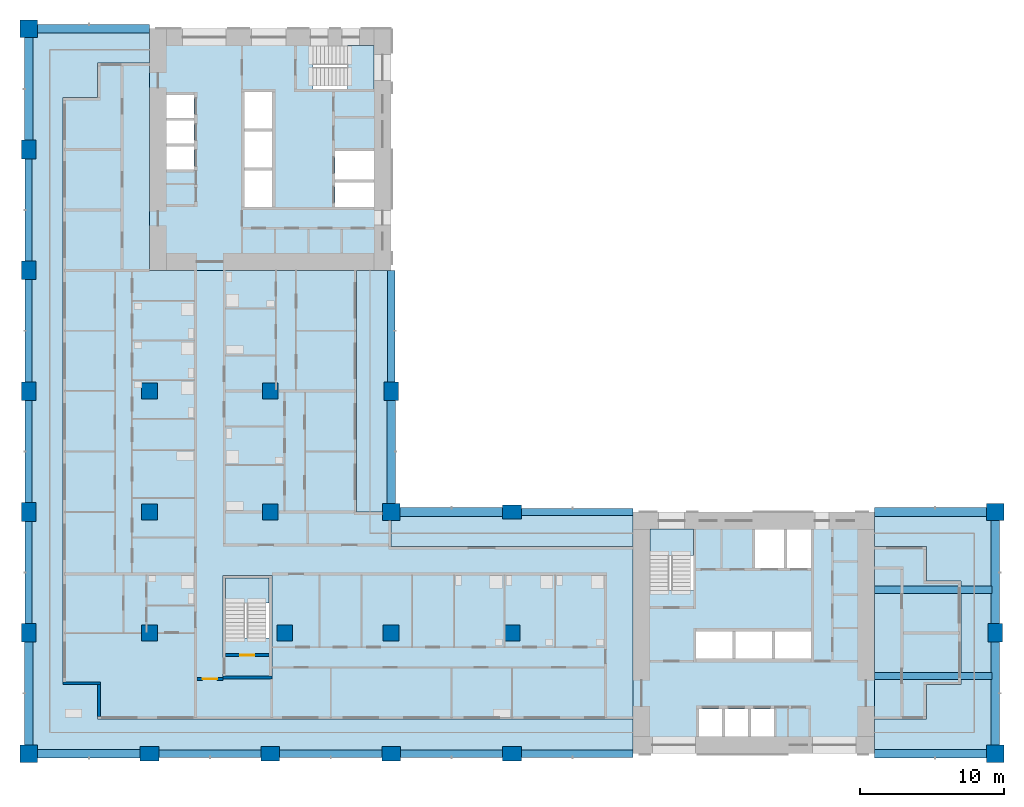
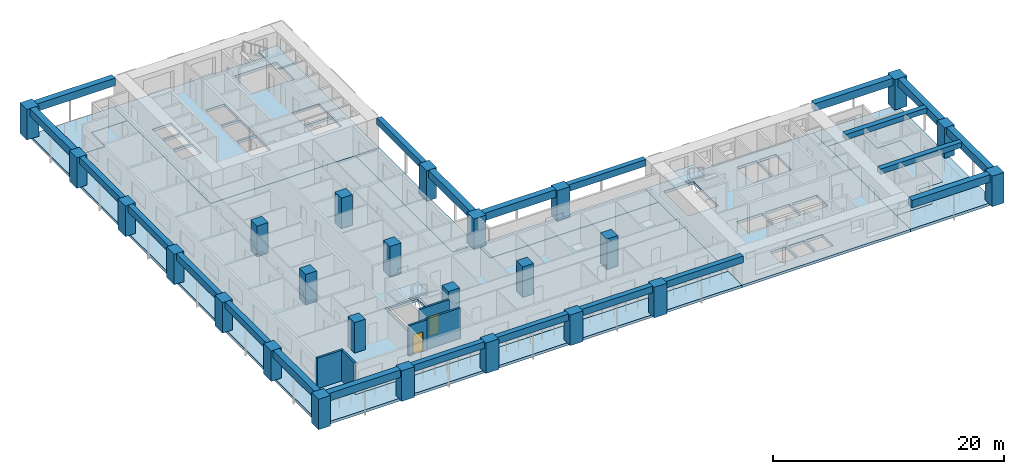
# One storey, part 1 of 17: 25 columns, 22 beams, 12 slabs, 5 walls, 2 doors, 2 openings, 3 elements without a shape of their own.
"""IFC4 building model written with IfcOpenShell, lengths in metres."""

from ifc_helpers import new_model, si_unit, direction, frame, frame_2d, origin, origin_2d, place, context, subcontext, project, spatial, polyline, rectangle, outline, extrude, material, layer, layer_set, material_profile, profile_set, type_object, element, fill, aggregate, save


model = new_model("IFC4")

# Units and contexts
model_context = context("Model", 3, precision=1e-05, world=origin(), true_north=direction((0.0, 1.0)))
body_context = subcontext(model_context, "Body", "Model", "MODEL_VIEW")
ifc_project = project(units=[si_unit("LENGTHUNIT", "METRE"), si_unit("AREAUNIT", "SQUARE_METRE"), si_unit("VOLUMEUNIT", "CUBIC_METRE"), si_unit("PLANEANGLEUNIT", "RADIAN"), si_unit("MASSUNIT", "GRAM", prefix="KILO")], contexts=[model_context])

# Site, building, storey
site_placement = place(None, origin())
site = spatial("IfcSite", under=ifc_project, at=site_placement, CompositionType="ELEMENT")
building_placement = place(site_placement, origin())
building = spatial("IfcBuilding", under=site, at=building_placement, Name="Vermilion Gate Residences", CompositionType="ELEMENT")
storey_placement = place(building_placement, frame((0.0, 0.0, 98.699951171875)))
storey = spatial("IfcBuildingStorey", under=building, at=storey_placement, Name="L24", CompositionType="ELEMENT", Elevation=98.699951171875)

# Columns
ifc_material_1 = material(Name="Concrete C70", Category="concrete")
ifc_material_profile_1 = material_profile(ifc_material_1, rectangle(XDim=1.10009765625, YDim=1.10009765625, at=origin_2d()), Name="RC-1100x1100")
ifc_profile_set_1 = profile_set([ifc_material_profile_1], Name="Concrete C70")
column_type_1 = type_object("IfcColumnType", Name="RC COLUMN 1100 X 1100 C70", PredefinedType="COLUMN", material=ifc_profile_set_1)
for number, where, z_axis, x_axis, name in (
    (1, (8.39990234375, 16.800048828125, 0.0), (0.0, 0.0, 1.0), (1.0, 0.0, 0.0), "Column 2-C L24"),
    (2, (8.39990234375, 25.199951171875, 0.0), (0.0, 0.0, 1.0), (1.0, 0.0, 0.0), "Column 2-D L24"),
    (3, (8.39990234375, 33.60009765625, 0.0), (0.0, 0.0, 1.0), (1.0, 0.0, 0.0), "Column 2-E L24"),
    (4, (17.800048828125, 16.800048828125, 0.0), (0.0, 0.0, 1.0), (1.0, 0.0, 0.0), "Column 3-C L24"),
    (5, (16.800048828125, 25.199951171875, 0.0), (0.0, 0.0, 1.0), (1.0, 0.0, 0.0), "Column 3-D L24"),
    (6, (16.800048828125, 33.60009765625, 0.0), (0.0, 0.0, 1.0), (1.0, 0.0, 0.0), "Column 3-E L24"),
    (7, (25.199951171875, 16.800048828125, 0.0), (0.0, 0.0, 1.0), (1.0, 0.0, 0.0), "Column 4-C L24"),
    (8, (33.60009765625, 16.800048828125, 0.0), (0.0, 0.0, 1.0), (1.0, 0.0, 0.0), "Column 5-C L24"),
):
    element("IfcColumn", number, at=place(storey_placement, frame(where, z_axis=z_axis, x_axis=x_axis)), inside=storey, type_object=column_type_1, Name=name, PredefinedType="COLUMN", context=body_context, shape_type="SweptSolid", body=[
        extrude(rectangle(XDim=1.10009765625, YDim=1.10009765625, at=origin_2d()), origin(), (0.0, 0.0, 1.0), 3.219970703125),
    ])
ifc_material_2 = material(Name="Concrete C70", Category="concrete")
ifc_material_profile_2 = material_profile(ifc_material_2, rectangle(XDim=1.199951171875, YDim=1.199951171875, at=origin_2d()), Name="RC-1200x1200")
ifc_profile_set_2 = profile_set([ifc_material_profile_2], Name="Concrete C70")
column_type_2 = type_object("IfcColumnType", Name="RC COLUMN 1200 X 1200 C70", PredefinedType="COLUMN", material=ifc_profile_set_2)
for number, where, z_axis, x_axis, name in (
    (9, (0.0, 8.39990234375, 0.0), (0.0, 0.0, 1.0), (1.0, 0.0, 0.0), "Column 1-B L24"),
    (10, (0.0, 58.800048828125, 0.0), (0.0, 0.0, 1.0), (1.0, 0.0, 0.0), "Column 1-H L24"),
    (11, (25.199951171875, 25.199951171875, 0.0), (0.0, 0.0, 1.0), (1.0, 0.0, 0.0), "Column 4-D L24"),
    (12, (67.199951171875, 8.39990234375, 0.0), (0.0, 0.0, 1.0), (1.0, 0.0, 0.0), "Column 9-B L24"),
    (13, (67.199951171875, 25.199951171875, 0.0), (0.0, 0.0, 1.0), (1.0, 0.0, 0.0), "Column 9-D L24"),
):
    element("IfcColumn", number, at=place(storey_placement, frame(where, z_axis=z_axis, x_axis=x_axis)), inside=storey, type_object=column_type_2, Name=name, PredefinedType="COLUMN", context=body_context, shape_type="SweptSolid", body=[
        extrude(rectangle(XDim=1.199951171875, YDim=1.199951171875, at=origin_2d()), origin(), (0.0, 0.0, 1.0), 3.219970703125),
    ])
ifc_material_3 = material(Name="Concrete C70", Category="concrete")
ifc_material_profile_3 = material_profile(ifc_material_3, rectangle(XDim=1.300048828125, YDim=1.0, at=origin_2d()), Name="RC-1300x1000")
ifc_profile_set_3 = profile_set([ifc_material_profile_3], Name="Concrete C70")
column_type_3 = type_object("IfcColumnType", Name="RC COLUMN 1300 X 1000 C70", PredefinedType="COLUMN", material=ifc_profile_set_3)
for number, where, z_axis, x_axis, name in (
    (14, (0.0, 16.800048828125, 0.0), (0.0, 0.0, 1.0), (0.0, 1.0, 0.0), "Column 1-C L24"),
    (15, (0.0, 25.199951171875, 0.0), (0.0, 0.0, 1.0), (0.0, 1.0, 0.0), "Column 1-D L24"),
    (16, (0.0, 33.60009765625, 0.0), (0.0, 0.0, 1.0), (0.0, 1.0, 0.0), "Column 1-E L24"),
    (17, (0.0, 42.0, 0.0), (0.0, 0.0, 1.0), (0.0, 1.0, 0.0), "Column 1-F L24"),
    (18, (0.0, 50.39990234375, 0.0), (0.0, 0.0, 1.0), (0.0, 1.0, 0.0), "Column 1-G L24"),
    (19, (8.39990234375, 8.39990234375, 0.0), (0.0, 0.0, 1.0), (1.0, 0.0, 0.0), "Column 2-B L24"),
    (20, (16.800048828125, 8.39990234375, 0.0), (0.0, 0.0, 1.0), (1.0, 0.0, 0.0), "Column 3-B L24"),
    (21, (25.199951171875, 8.39990234375, 0.0), (0.0, 0.0, 1.0), (1.0, 0.0, 0.0), "Column 4-B L24"),
    (22, (25.199951171875, 33.60009765625, 0.0), (0.0, 0.0, 1.0), (0.0, 1.0, 0.0), "Column 4-E L24"),
    (23, (33.60009765625, 8.39990234375, 0.0), (0.0, 0.0, 1.0), (1.0, 0.0, 0.0), "Column 5-B L24"),
    (24, (33.60009765625, 25.199951171875, 0.0), (0.0, 0.0, 1.0), (1.0, 0.0, 0.0), "Column 5-D L24"),
    (25, (67.199951171875, 16.800048828125, 0.0), (0.0, 0.0, 1.0), (0.0, 1.0, 0.0), "Column 9-C L24"),
):
    element("IfcColumn", number, at=place(storey_placement, frame(where, z_axis=z_axis, x_axis=x_axis)), inside=storey, type_object=column_type_3, Name=name, PredefinedType="COLUMN", context=body_context, shape_type="SweptSolid", body=[
        extrude(rectangle(XDim=1.300048828125, YDim=1.0, at=origin_2d()), origin(), (0.0, 0.0, 1.0), 3.219970703125),
    ])

# Beams
ifc_material_4 = material(Name="Concrete C60 red-oxide pigmented", Category="concrete")
ifc_material_profile_4 = material_profile(ifc_material_4, rectangle(XDim=0.60009765625, YDim=0.800048828125, at=origin_2d()), Name="RC-600x800")
ifc_profile_set_4 = profile_set([ifc_material_profile_4], Name="Concrete C60 red-oxide pigmented")
beam_type_1 = type_object("IfcBeamType", Name="RC CORNER EDGE BEAM 600 X 800 C60", PredefinedType="BEAM", material=ifc_profile_set_4)
for number, where, z_axis, x_axis, name in (
    (26, (0.60009765625, 8.39990234375, 2.820068359375), (1.0, 0.0, 0.0), (0.0, 1.0, 0.0), "Corner edge beam L24 1"),
    (27, (0.0, 9.0, 2.820068359375), (0.0, 1.0, 0.0), (-1.0, 0.0, 0.0), "Corner edge beam L24 2"),
):
    element("IfcBeam", number, at=place(storey_placement, frame(where, z_axis=z_axis, x_axis=x_axis)), inside=storey, type_object=beam_type_1, Name=name, PredefinedType="BEAM", context=body_context, shape_type="SweptSolid", body=[
        extrude(rectangle(XDim=0.60009765625, YDim=0.800048828125, at=origin_2d()), origin(), (0.0, 0.0, 1.0), 7.14990234375),
    ])
beam_1_placement = place(storey_placement, frame((0.60009765625, 58.800048828125, 2.820068359375), z_axis=(1.0, 0.0, 0.0), x_axis=(0.0, 1.0, 0.0)))
element("IfcBeam", 28, at=beam_1_placement, inside=storey, type_object=beam_type_1, Name="Corner edge beam L24 7", PredefinedType="BEAM", context=body_context, shape_type="SweptSolid", body=[
    extrude(rectangle(XDim=0.60009765625, YDim=0.800048828125, at=origin_2d()), origin(), (0.0, 0.0, 1.0), 7.7998046875),
])
for number, where, z_axis, x_axis, name in (
    (29, (0.0, 51.050048828125, 2.820068359375), (0.0, 1.0, 0.0), (-1.0, 0.0, 0.0), "Corner edge beam L24 8"),
    (30, (25.199951171875, 25.800048828125, 2.820068359375), (0.0, 1.0, 0.0), (-1.0, 0.0, 0.0), "Corner edge beam L24 11"),
    (31, (25.800048828125, 25.199951171875, 2.820068359375), (1.0, 0.0, 0.0), (0.0, 1.0, 0.0), "Corner edge beam L24 14"),
):
    element("IfcBeam", number, at=place(storey_placement, frame(where, z_axis=z_axis, x_axis=x_axis)), inside=storey, type_object=beam_type_1, Name=name, PredefinedType="BEAM", context=body_context, shape_type="SweptSolid", body=[
        extrude(rectangle(XDim=0.60009765625, YDim=0.800048828125, at=origin_2d()), origin(), (0.0, 0.0, 1.0), 7.14990234375),
    ])
beam_2_placement = place(storey_placement, frame((58.800048828125, 8.39990234375, 2.820068359375), z_axis=(1.0, 0.0, 0.0), x_axis=(0.0, 1.0, 0.0)))
element("IfcBeam", 32, at=beam_2_placement, inside=storey, type_object=beam_type_1, Name="Corner edge beam L24 17", PredefinedType="BEAM", context=body_context, shape_type="SweptSolid", body=[
    extrude(rectangle(XDim=0.60009765625, YDim=0.800048828125, at=origin_2d()), origin(), (0.0, 0.0, 1.0), 7.800048828125),
])
beam_3_placement = place(storey_placement, frame((67.199951171875, 9.0, 2.820068359375), z_axis=(0.0, 1.0, 0.0), x_axis=(-1.0, 0.0, 0.0)))
element("IfcBeam", 33, at=beam_3_placement, inside=storey, type_object=beam_type_1, Name="Corner edge beam L24 18", PredefinedType="BEAM", context=body_context, shape_type="SweptSolid", body=[
    extrude(rectangle(XDim=0.60009765625, YDim=0.800048828125, at=origin_2d()), origin(), (0.0, 0.0, 1.0), 7.14990234375),
])
beam_4_placement = place(storey_placement, frame((67.199951171875, 17.449951171875, 2.820068359375), z_axis=(0.0, 1.0, 0.0), x_axis=(-1.0, 0.0, 0.0)))
element("IfcBeam", 34, at=beam_4_placement, inside=storey, type_object=beam_type_1, Name="Corner edge beam L24 19", PredefinedType="BEAM", context=body_context, shape_type="SweptSolid", body=[
    extrude(rectangle(XDim=0.60009765625, YDim=0.800048828125, at=origin_2d()), origin(), (0.0, 0.0, 1.0), 7.150146484375),
])
beam_5_placement = place(storey_placement, frame((58.800048828125, 25.199951171875, 2.820068359375), z_axis=(1.0, 0.0, 0.0), x_axis=(0.0, 1.0, 0.0)))
element("IfcBeam", 35, at=beam_5_placement, inside=storey, type_object=beam_type_1, Name="Corner edge beam L24 20", PredefinedType="BEAM", context=body_context, shape_type="SweptSolid", body=[
    extrude(rectangle(XDim=0.60009765625, YDim=0.800048828125, at=origin_2d()), origin(), (0.0, 0.0, 1.0), 7.800048828125),
])
ifc_material_5 = material(Name="Concrete C60 red-oxide pigmented", Category="concrete")
ifc_material_profile_5 = material_profile(ifc_material_5, rectangle(XDim=0.5, YDim=0.699951171875, at=origin_2d()), Name="RC-500x700")
ifc_profile_set_5 = profile_set([ifc_material_profile_5], Name="Concrete C60 red-oxide pigmented")
beam_type_2 = type_object("IfcBeamType", Name="RC EDGE BEAM 500 X 700 C60", PredefinedType="BEAM", material=ifc_profile_set_5)
beam_6_placement = place(storey_placement, frame((0.0, 17.449951171875, 2.8701171875), z_axis=(0.0, 1.0, 0.0), x_axis=(-1.0, 0.0, 0.0)))
element("IfcBeam", 36, at=beam_6_placement, inside=storey, type_object=beam_type_2, Name="Edge beam L24 3", PredefinedType="BEAM", context=body_context, shape_type="SweptSolid", body=[
    extrude(rectangle(XDim=0.5, YDim=0.699951171875, at=origin_2d()), origin(), (0.0, 0.0, 1.0), 7.10009765625),
])
beam_7_placement = place(storey_placement, frame((0.0, 25.85009765625, 2.8701171875), z_axis=(0.0, 1.0, 0.0), x_axis=(-1.0, 0.0, 0.0)))
element("IfcBeam", 37, at=beam_7_placement, inside=storey, type_object=beam_type_2, Name="Edge beam L24 4", PredefinedType="BEAM", context=body_context, shape_type="SweptSolid", body=[
    extrude(rectangle(XDim=0.5, YDim=0.699951171875, at=origin_2d()), origin(), (0.0, 0.0, 1.0), 7.099853515625),
])
for number, where, z_axis, x_axis, name in (
    (38, (0.0, 34.25, 2.8701171875), (0.0, 1.0, 0.0), (-1.0, 0.0, 0.0), "Edge beam L24 5"),
    (39, (0.0, 42.64990234375, 2.8701171875), (0.0, 1.0, 0.0), (-1.0, 0.0, 0.0), "Edge beam L24 6"),
):
    element("IfcBeam", number, at=place(storey_placement, frame(where, z_axis=z_axis, x_axis=x_axis)), inside=storey, type_object=beam_type_2, Name=name, PredefinedType="BEAM", context=body_context, shape_type="SweptSolid", body=[
        extrude(rectangle(XDim=0.5, YDim=0.699951171875, at=origin_2d()), origin(), (0.0, 0.0, 1.0), 7.10009765625),
    ])
beam_8_placement = place(storey_placement, frame((9.050048828125, 8.39990234375, 2.8701171875), z_axis=(1.0, 0.0, 0.0), x_axis=(0.0, 1.0, 0.0)))
element("IfcBeam", 40, at=beam_8_placement, inside=storey, type_object=beam_type_2, Name="Edge beam L24 9", PredefinedType="BEAM", context=body_context, shape_type="SweptSolid", body=[
    extrude(rectangle(XDim=0.5, YDim=0.699951171875, at=origin_2d()), origin(), (0.0, 0.0, 1.0), 7.099853515625),
])
beam_9_placement = place(storey_placement, frame((17.449951171875, 8.39990234375, 2.8701171875), z_axis=(1.0, 0.0, 0.0), x_axis=(0.0, 1.0, 0.0)))
element("IfcBeam", 41, at=beam_9_placement, inside=storey, type_object=beam_type_2, Name="Edge beam L24 10", PredefinedType="BEAM", context=body_context, shape_type="SweptSolid", body=[
    extrude(rectangle(XDim=0.5, YDim=0.699951171875, at=origin_2d()), origin(), (0.0, 0.0, 1.0), 7.10009765625),
])
beam_10_placement = place(storey_placement, frame((25.199951171875, 34.25, 2.8701171875), z_axis=(0.0, 1.0, 0.0), x_axis=(-1.0, 0.0, 0.0)))
element("IfcBeam", 42, at=beam_10_placement, inside=storey, type_object=beam_type_2, Name="Edge beam L24 12", PredefinedType="BEAM", context=body_context, shape_type="SweptSolid", body=[
    extrude(rectangle(XDim=0.5, YDim=0.699951171875, at=origin_2d()), origin(), (0.0, 0.0, 1.0), 7.75),
])
beam_11_placement = place(storey_placement, frame((25.85009765625, 8.39990234375, 2.8701171875), z_axis=(1.0, 0.0, 0.0), x_axis=(0.0, 1.0, 0.0)))
element("IfcBeam", 43, at=beam_11_placement, inside=storey, type_object=beam_type_2, Name="Edge beam L24 13", PredefinedType="BEAM", context=body_context, shape_type="SweptSolid", body=[
    extrude(rectangle(XDim=0.5, YDim=0.699951171875, at=origin_2d()), origin(), (0.0, 0.0, 1.0), 7.099853515625),
])
for number, where, z_axis, x_axis, name in (
    (44, (34.25, 8.39990234375, 2.8701171875), (1.0, 0.0, 0.0), (0.0, 1.0, 0.0), "Edge beam L24 15"),
    (45, (34.25, 25.199951171875, 2.8701171875), (1.0, 0.0, 0.0), (0.0, 1.0, 0.0), "Edge beam L24 16"),
):
    element("IfcBeam", number, at=place(storey_placement, frame(where, z_axis=z_axis, x_axis=x_axis)), inside=storey, type_object=beam_type_2, Name=name, PredefinedType="BEAM", context=body_context, shape_type="SweptSolid", body=[
        extrude(rectangle(XDim=0.5, YDim=0.699951171875, at=origin_2d()), origin(), (0.0, 0.0, 1.0), 7.75),
    ])
ifc_material_6 = material(Name="Concrete C60", Category="concrete")
ifc_material_profile_6 = material_profile(ifc_material_6, rectangle(XDim=0.5, YDim=0.550048828125, at=origin_2d()), Name="RC-500x550")
ifc_profile_set_6 = profile_set([ifc_material_profile_6], Name="Concrete C60")
beam_type_3 = type_object("IfcBeamType", Name="RC WING BEAM 500 X 550 C60", PredefinedType="BEAM", material=ifc_profile_set_6)
for number, where, z_axis, x_axis, name in (
    (46, (58.800048828125, 13.800048828125, 2.945068359375), (1.0, 0.0, 0.0), (0.0, 1.0, 0.0), "Wing-end beam L24 1"),
    (47, (58.800048828125, 19.800048828125, 2.945068359375), (1.0, 0.0, 0.0), (0.0, 1.0, 0.0), "Wing-end beam L24 2"),
):
    element("IfcBeam", number, at=place(storey_placement, frame(where, z_axis=z_axis, x_axis=x_axis)), inside=storey, type_object=beam_type_3, Name=name, PredefinedType="BEAM", context=body_context, shape_type="SweptSolid", body=[
        extrude(rectangle(XDim=0.5, YDim=0.550048828125, at=origin_2d()), origin(), (0.0, 0.0, 1.0), 8.14990234375),
    ])

# Slabs
ifc_material_7 = material(Name="Concrete C50", Category="concrete")
ifc_layer_1 = layer(ifc_material_7, 0.280029296875)
ifc_layer_set_1 = layer_set([ifc_layer_1], Name="RC CORE FLOOR SLAB 280 C50")
slab_type_1 = type_object("IfcSlabType", Name="RC CORE FLOOR SLAB 280 C50", PredefinedType="FLOOR", material=ifc_layer_set_1)
slab_1_placement = place(storey_placement, frame((0.0, 0.0, -0.280029296875)))
element("IfcSlab", 48, at=slab_1_placement, inside=storey, type_object=slab_type_1, Name="Core floor slab A24", PredefinedType="FLOOR", context=body_context, shape_type="SweptSolid", body=[
    extrude(outline(polyline([(42.0, 8.39990234375), (58.800048828125, 8.39990234375), (58.800048828125, 25.199951171875), (42.0, 25.199951171875), (42.0, 8.39990234375)]), holes=[polyline([(46.60009765625, 11.5), (48.199951171875, 11.5), (48.199951171875, 9.60009765625), (46.60009765625, 9.60009765625), (46.60009765625, 11.5)]), polyline([(48.39990234375, 11.5), (50.0, 11.5), (50.0, 9.60009765625), (48.39990234375, 9.60009765625), (48.39990234375, 11.5)]), polyline([(50.199951171875, 11.5), (51.800048828125, 11.5), (51.800048828125, 9.60009765625), (50.199951171875, 9.60009765625), (50.199951171875, 11.5)]), polyline([(46.39990234375, 16.89990234375), (48.933349609375, 16.89990234375), (48.933349609375, 15.0), (46.39990234375, 15.0), (46.39990234375, 16.89990234375)]), polyline([(49.13330078125, 16.89990234375), (51.666748046875, 16.89990234375), (51.666748046875, 15.0), (49.13330078125, 15.0), (49.13330078125, 16.89990234375)]), polyline([(51.86669921875, 16.89990234375), (54.39990234375, 16.89990234375), (54.39990234375, 15.0), (51.86669921875, 15.0), (51.86669921875, 16.89990234375)]), polyline([(43.199951171875, 24.0), (46.199951171875, 24.0), (46.199951171875, 19.75), (43.199951171875, 19.75), (43.199951171875, 24.0)]), polyline([(52.5, 24.0), (52.5, 21.300048828125), (50.5, 21.300048828125), (50.5, 24.0), (52.5, 24.0)]), polyline([(54.39990234375, 24.0), (54.39990234375, 21.300048828125), (52.699951171875, 21.300048828125), (52.699951171875, 24.0), (54.39990234375, 24.0)])]), origin(), (0.0, 0.0, 1.0), 0.280029296875),
])
slab_2_placement = place(storey_placement, frame((0.0, 0.0, -0.280029296875)))
element("IfcSlab", 49, at=slab_2_placement, inside=storey, type_object=slab_type_1, Name="Core floor slab B24", PredefinedType="FLOOR", context=body_context, shape_type="SweptSolid", body=[
    extrude(outline(polyline([(8.39990234375, 42.0), (25.199951171875, 42.0), (25.199951171875, 58.800048828125), (8.39990234375, 58.800048828125), (8.39990234375, 42.0)]), holes=[polyline([(21.300048828125, 48.10009765625), (24.0, 48.10009765625), (24.0, 46.39990234375), (21.300048828125, 46.39990234375), (21.300048828125, 48.10009765625)]), polyline([(15.0, 48.933349609375), (16.89990234375, 48.933349609375), (16.89990234375, 46.39990234375), (15.0, 46.39990234375), (15.0, 48.933349609375)]), polyline([(21.300048828125, 50.300048828125), (24.0, 50.300048828125), (24.0, 48.300048828125), (21.300048828125, 48.300048828125), (21.300048828125, 50.300048828125)]), polyline([(9.60009765625, 50.60009765625), (11.5, 50.60009765625), (11.5, 49.0), (9.60009765625, 49.0), (9.60009765625, 50.60009765625)]), polyline([(15.0, 51.666748046875), (16.89990234375, 51.666748046875), (16.89990234375, 49.13330078125), (15.0, 49.13330078125), (15.0, 51.666748046875)]), polyline([(9.60009765625, 52.39990234375), (11.5, 52.39990234375), (11.5, 50.800048828125), (9.60009765625, 50.800048828125), (9.60009765625, 52.39990234375)]), polyline([(15.0, 54.39990234375), (16.89990234375, 54.39990234375), (16.89990234375, 51.86669921875), (15.0, 51.86669921875), (15.0, 54.39990234375)]), polyline([(11.5, 54.199951171875), (11.5, 52.60009765625), (9.60009765625, 52.60009765625), (9.60009765625, 54.199951171875), (11.5, 54.199951171875)]), polyline([(24.0, 57.60009765625), (24.0, 54.60009765625), (19.75, 54.60009765625), (19.75, 57.60009765625), (24.0, 57.60009765625)])]), origin(), (0.0, 0.0, 1.0), 0.280029296875),
])
slab_3_placement = place(storey_placement, frame((0.0, 0.0, -0.280029296875)))
element("IfcSlab", 50, at=slab_3_placement, inside=storey, type_object=slab_type_1, Name="Apex stair floor slab 24", PredefinedType="FLOOR", context=body_context, shape_type="SweptSolid", body=[
    extrude(outline(polyline([(13.5, 13.60009765625), (16.89990234375, 13.60009765625), (16.89990234375, 20.800048828125), (13.5, 20.800048828125), (13.5, 13.60009765625)]), holes=[polyline([(16.699951171875, 20.60009765625), (16.699951171875, 16.449951171875), (13.699951171875, 16.449951171875), (13.699951171875, 20.60009765625), (16.699951171875, 20.60009765625)])]), origin(), (0.0, 0.0, 1.0), 0.280029296875),
])
ifc_material_8 = material(Name="Concrete C50", Category="concrete")
ifc_layer_2 = layer(ifc_material_8, 0.280029296875)
ifc_layer_set_2 = layer_set([ifc_layer_2], Name="RC FLAT PLATE 280 C50")
slab_type_2 = type_object("IfcSlabType", Name="RC FLAT PLATE 280 C50", PredefinedType="FLOOR", material=ifc_layer_set_2)
slab_4_placement = place(storey_placement, frame((0.0, 0.0, -0.280029296875)))
element("IfcSlab", 51, at=slab_4_placement, inside=storey, type_object=slab_type_2, Name="Floor slab L24", PredefinedType="FLOOR", context=body_context, shape_type="SweptSolid", body=[
    extrude(outline(polyline([(22.800048828125, 25.199951171875), (22.800048828125, 42.0), (8.39990234375, 42.0), (8.39990234375, 56.39990234375), (4.800048828125, 56.39990234375), (4.800048828125, 54.0), (2.39990234375, 54.0), (2.39990234375, 13.199951171875), (4.800048828125, 13.199951171875), (4.800048828125, 10.800048828125), (42.0, 10.800048828125), (42.0, 22.800048828125), (25.199951171875, 22.800048828125), (25.199951171875, 25.199951171875), (22.800048828125, 25.199951171875)]), holes=[polyline([(13.5, 13.60009765625), (13.5, 20.800048828125), (16.89990234375, 20.800048828125), (16.89990234375, 13.60009765625), (13.5, 13.60009765625)])]), origin(), (0.0, 0.0, 1.0), 0.280029296875),
])
slab_5_placement = place(storey_placement, frame((0.0, 0.0, -0.280029296875)))
element("IfcSlab", 52, at=slab_5_placement, inside=storey, type_object=slab_type_2, Name="Floor slab L24", PredefinedType="FLOOR", context=body_context, shape_type="SweptSolid", body=[
    extrude(outline(polyline([(58.800048828125, 22.800048828125), (58.800048828125, 10.800048828125), (62.39990234375, 10.800048828125), (62.39990234375, 13.199951171875), (64.800048828125, 13.199951171875), (64.800048828125, 20.39990234375), (62.39990234375, 20.39990234375), (62.39990234375, 22.800048828125), (58.800048828125, 22.800048828125)])), origin(), (0.0, 0.0, 1.0), 0.280029296875),
])
ifc_material_9 = material(Name="Concrete C50 red-oxide pigmented", Category="concrete")
ifc_layer_3 = layer(ifc_material_9, 0.280029296875)
ifc_layer_set_3 = layer_set([ifc_layer_3], Name="RC LOGGIA SLAB 280 C50")
slab_type_3 = type_object("IfcSlabType", Name="RC LOGGIA SLAB 280 C50", PredefinedType="FLOOR", material=ifc_layer_set_3)
slab_6_placement = place(storey_placement, frame((0.0, 0.0, -0.280029296875)))
element("IfcSlab", 53, at=slab_6_placement, inside=storey, type_object=slab_type_3, Name="Loggia slab L24", PredefinedType="FLOOR", context=body_context, shape_type="SweptSolid", body=[
    extrude(outline(polyline([(0.0, 58.800048828125), (0.0, 8.39990234375), (42.0, 8.39990234375), (42.0, 10.800048828125), (4.800048828125, 10.800048828125), (4.800048828125, 13.199951171875), (2.39990234375, 13.199951171875), (2.39990234375, 54.0), (4.800048828125, 54.0), (4.800048828125, 56.39990234375), (8.39990234375, 56.39990234375), (8.39990234375, 58.800048828125), (0.0, 58.800048828125)])), origin(), (0.0, 0.0, 1.0), 0.280029296875),
])
slab_7_placement = place(storey_placement, frame((0.0, 0.0, -0.280029296875)))
element("IfcSlab", 54, at=slab_7_placement, inside=storey, type_object=slab_type_3, Name="Loggia slab L24", PredefinedType="FLOOR", context=body_context, shape_type="SweptSolid", body=[
    extrude(outline(polyline([(64.800048828125, 20.39990234375), (64.800048828125, 13.199951171875), (62.39990234375, 13.199951171875), (62.39990234375, 10.800048828125), (58.800048828125, 10.800048828125), (58.800048828125, 8.39990234375), (67.199951171875, 8.39990234375), (67.199951171875, 25.199951171875), (58.800048828125, 25.199951171875), (58.800048828125, 22.800048828125), (62.39990234375, 22.800048828125), (62.39990234375, 20.39990234375), (64.800048828125, 20.39990234375)])), origin(), (0.0, 0.0, 1.0), 0.280029296875),
])
slab_8_placement = place(storey_placement, frame((0.0, 0.0, -0.280029296875)))
element("IfcSlab", 55, at=slab_8_placement, inside=storey, type_object=slab_type_3, Name="Loggia slab L24", PredefinedType="FLOOR", context=body_context, shape_type="SweptSolid", body=[
    extrude(outline(polyline([(25.199951171875, 22.800048828125), (42.0, 22.800048828125), (42.0, 25.199951171875), (25.199951171875, 25.199951171875), (25.199951171875, 22.800048828125)])), origin(), (0.0, 0.0, 1.0), 0.280029296875),
])
slab_9_placement = place(storey_placement, frame((0.0, 0.0, -0.280029296875)))
element("IfcSlab", 56, at=slab_9_placement, inside=storey, type_object=slab_type_3, Name="Loggia slab L24", PredefinedType="FLOOR", context=body_context, shape_type="SweptSolid", body=[
    extrude(outline(polyline([(25.199951171875, 25.199951171875), (25.199951171875, 42.0), (22.800048828125, 42.0), (22.800048828125, 25.199951171875), (25.199951171875, 25.199951171875)])), origin(), (0.0, 0.0, 1.0), 0.280029296875),
])

# Stair, slab
ifc_material_10 = material(Name="Concrete C50", Category="concrete")
stair_type = type_object("IfcStairType", Name="SPECIAL ESCAPE STAIR 1300", PredefinedType="HALF_TURN_STAIR", material=ifc_material_10)
stair_1_placement = place(storey_placement, origin())
stair_1 = element("IfcStair", 57, at=stair_1_placement, inside=storey, type_object=stair_type, Name="Special escape stair STA1-24", PredefinedType="HALF_TURN_STAIR")
ifc_material_11 = material(Name="Concrete C50", Category="concrete")
ifc_layer_4 = layer(ifc_material_11, 0.199951171875)
ifc_layer_set_4 = layer_set([ifc_layer_4], Name="STAIR LANDING 200 C50")
slab_type_4 = type_object("IfcSlabType", Name="STAIR LANDING 200 C50", PredefinedType="LANDING", material=ifc_layer_set_4)
slab_10_placement = place(storey_placement, frame((0.0, 0.0, 1.550048828125)))
slab_10 = element("IfcSlab", 58, at=slab_10_placement, type_object=slab_type_4, Name="STA1-24 landing 1", PredefinedType="LANDING", context=body_context, shape_type="SweptSolid", body=[
    extrude(outline(polyline([(46.219970703125, 22.179931640625), (46.219970703125, 24.02001953125), (43.179931640625, 24.02001953125), (43.179931640625, 22.179931640625), (46.219970703125, 22.179931640625)])), origin(), (0.0, 0.0, 1.0), 0.199951171875),
])
aggregate(stair_1, [slab_10])

stair_2_placement = place(storey_placement, origin())
stair_2 = element("IfcStair", 59, at=stair_2_placement, inside=storey, type_object=stair_type, Name="Special escape stair STB1-24", PredefinedType="HALF_TURN_STAIR")
slab_11_placement = place(storey_placement, frame((0.0, 0.0, 1.550048828125)))
slab_11 = element("IfcSlab", 60, at=slab_11_placement, type_object=slab_type_4, Name="STB1-24 landing 1", PredefinedType="LANDING", context=body_context, shape_type="SweptSolid", body=[
    extrude(outline(polyline([(24.02001953125, 54.580078125), (24.02001953125, 57.6201171875), (22.179931640625, 57.6201171875), (22.179931640625, 54.580078125), (24.02001953125, 54.580078125)])), origin(), (0.0, 0.0, 1.0), 0.199951171875),
])
aggregate(stair_2, [slab_11])

stair_3_placement = place(storey_placement, origin())
stair_3 = element("IfcStair", 61, at=stair_3_placement, inside=storey, type_object=stair_type, Name="Special escape stair STC1-24", PredefinedType="HALF_TURN_STAIR")
slab_12_placement = place(storey_placement, frame((0.0, 0.0, 1.550048828125)))
slab_12 = element("IfcSlab", 62, at=slab_12_placement, type_object=slab_type_4, Name="STC1-24 landing 1", PredefinedType="LANDING", context=body_context, shape_type="SweptSolid", body=[
    extrude(outline(polyline([(16.719970703125, 18.8798828125), (16.719970703125, 20.6201171875), (13.679931640625, 20.6201171875), (13.679931640625, 18.8798828125), (16.719970703125, 18.8798828125)])), origin(), (0.0, 0.0, 1.0), 0.199951171875),
])
aggregate(stair_3, [slab_12])

# Walls
ifc_material_12 = material(Name="Insulated steel stud wall with terracotta rainscreen", Category="masonry")
ifc_layer_5 = layer(ifc_material_12, 0.199951171875)
ifc_layer_set_5 = layer_set([ifc_layer_5], Name="EXTERNAL WALL 200 TERRACOTTA RAINSCREEN")
wall_type_1 = type_object("IfcWallType", Name="EXTERNAL WALL 200 TERRACOTTA RAINSCREEN", PredefinedType="SOLIDWALL", material=ifc_layer_set_5)
wall_1_placement = place(storey_placement, frame((2.39990234375, 13.300048828125, 0.0), z_axis=(0.0, 0.0, 1.0), x_axis=(1.0, 0.0, 0.0)))
element("IfcWall", 63, at=wall_1_placement, inside=storey, type_object=wall_type_1, Name="External wall", PredefinedType="SOLIDWALL", context=body_context, shape_type="SweptSolid", body=[
    extrude(rectangle(XDim=2.60009765625, YDim=0.199951171875, at=frame_2d((1.300048828125, 0.0))), origin(), (0.0, 0.0, 1.0), 3.219970703125),
])
wall_2_placement = place(storey_placement, frame((4.89990234375, 13.199951171875, 0.0), z_axis=(0.0, 0.0, 1.0), x_axis=(0.0, -1.0, 0.0)))
element("IfcWall", 64, at=wall_2_placement, inside=storey, type_object=wall_type_1, Name="External wall", PredefinedType="SOLIDWALL", context=body_context, shape_type="SweptSolid", body=[
    extrude(rectangle(XDim=2.199951171875, YDim=0.199951171875, at=frame_2d((1.10009765625, 0.0))), origin(), (0.0, 0.0, 1.0), 3.219970703125),
])

# Wall, opening, door
ifc_material_13 = material(Name="Fire-rated plasterboard on steel studs", Category="steel")
ifc_layer_6 = layer(ifc_material_13, 0.199951171875)
ifc_layer_set_6 = layer_set([ifc_layer_6], Name="PARTY WALL 200 EI 120")
wall_type_2 = type_object("IfcWallType", Name="PARTY WALL 200 EI 120", PredefinedType="PARTITIONING", material=ifc_layer_set_6)
wall_3_placement = place(storey_placement, frame((11.699951171875, 13.60009765625, 0.0), z_axis=(0.0, 0.0, 1.0), x_axis=(1.0, 0.0, 0.0)))
wall_3 = element("IfcWall", 65, at=wall_3_placement, inside=storey, type_object=wall_type_2, Name="Party and corridor wall", PredefinedType="PARTITIONING", context=body_context, shape_type="SweptSolid", body=[
    extrude(rectangle(XDim=1.800048828125, YDim=0.199951171875, at=frame_2d((0.89990234375, 0.0))), origin(), (0.0, 0.0, 1.0), 3.219970703125),
])
opening_1_placement = place(wall_3_placement, frame((0.39990234375, 0.0, 0.0)))
opening_1 = element("IfcOpeningElement", 66, at=opening_1_placement, cuts=wall_3, Name="Opening DA22001", PredefinedType="OPENING", context=body_context, shape_type="SweptSolid", body=[
    extrude(rectangle(XDim=1.0, YDim=2.10009765625, at=frame_2d((0.5, 1.050048828125))), frame((0.0, 0.10986328125, 0.0), z_axis=(0.0, -1.0, 0.0), x_axis=(1.0, 0.0, 0.0)), (0.0, 0.0, 1.0), 0.219970703125),
])
ifc_material_14 = material(Name="Steel", Category="steel")
door_type_1 = type_object("IfcDoorType", Name="ENTRANCE DOOR 1000 X 2100 FD30", OperationType="SINGLE_SWING_LEFT", PredefinedType="DOOR", material=ifc_material_14)
door_1_placement = place(opening_1_placement, frame((1.0, 0.0, 0.0), z_axis=(0.0, 0.0, 1.0), x_axis=(-1.0, 0.0, 0.0)))
door_1 = element("IfcDoor", 67, at=door_1_placement, inside=storey, type_object=door_type_1, Name="Entrance door", OperationType="SINGLE_SWING_RIGHT", OverallHeight=2.10009765625, OverallWidth=1.0, PredefinedType="DOOR", context=body_context, shape_type="SweptSolid", body=[
    extrude(rectangle(XDim=1.0, YDim=2.10009765625, at=frame_2d((0.5, 1.050048828125))), frame((0.0, 0.02490234375, 0.0), z_axis=(0.0, -1.0, 0.0), x_axis=(1.0, 0.0, 0.0)), (0.0, 0.0, 1.0), 0.050048828125),
])
fill(opening_1, door_1)

# Wall
ifc_material_15 = material(Name="Concrete C60", Category="concrete")
ifc_layer_7 = layer(ifc_material_15, 0.199951171875)
ifc_layer_set_7 = layer_set([ifc_layer_7], Name="RC CORE INTERNAL WALL 200 C60")
wall_type_3 = type_object("IfcWallType", Name="RC CORE INTERNAL WALL 200 C60", PredefinedType="SHEAR", material=ifc_layer_set_7)
wall_4_placement = place(storey_placement, frame((13.5, 13.699951171875, 0.0), z_axis=(0.0, 0.0, 1.0), x_axis=(1.0, 0.0, 0.0)))
element("IfcWall", 68, at=wall_4_placement, inside=storey, type_object=wall_type_3, Name="Core internal wall C24-S", PredefinedType="SHEAR", context=body_context, shape_type="SweptSolid", body=[
    extrude(rectangle(XDim=3.39990234375, YDim=0.199951171875, at=frame_2d((1.699951171875, 0.0))), origin(), (0.0, 0.0, 1.0), 3.219970703125),
])

# Wall, opening, door
wall_5_placement = place(storey_placement, frame((13.699951171875, 15.25, 0.0), z_axis=(0.0, 0.0, 1.0), x_axis=(1.0, 0.0, 0.0)))
wall_5 = element("IfcWall", 69, at=wall_5_placement, inside=storey, type_object=wall_type_3, Name="Core internal wall C24-P", PredefinedType="SHEAR", context=body_context, shape_type="SweptSolid", body=[
    extrude(rectangle(XDim=3.0, YDim=0.199951171875, at=frame_2d((1.5, 0.0))), origin(), (0.0, 0.0, 1.0), 3.219970703125),
])
opening_2_placement = place(wall_5_placement, frame((1.0, 0.0, 0.0)))
opening_2 = element("IfcOpeningElement", 70, at=opening_2_placement, cuts=wall_5, Name="Opening DK24202", PredefinedType="OPENING", context=body_context, shape_type="SweptSolid", body=[
    extrude(rectangle(XDim=1.0, YDim=2.10009765625, at=frame_2d((0.5, 1.050048828125))), frame((0.0, 0.10986328125, 0.0), z_axis=(0.0, -1.0, 0.0), x_axis=(1.0, 0.0, 0.0)), (0.0, 0.0, 1.0), 0.219970703125),
])
ifc_material_16 = material(Name="Steel", Category="steel")
door_type_2 = type_object("IfcDoorType", Name="FIRE DOOR FD60 1000 X 2100", OperationType="SINGLE_SWING_LEFT", PredefinedType="DOOR", material=ifc_material_16)
door_2_placement = place(opening_2_placement, origin())
door_2 = element("IfcDoor", 71, at=door_2_placement, inside=storey, type_object=door_type_2, Name="Stair door C24", OperationType="SINGLE_SWING_LEFT", OverallHeight=2.10009765625, OverallWidth=1.0, PredefinedType="DOOR", context=body_context, shape_type="SweptSolid", body=[
    extrude(rectangle(XDim=1.0, YDim=2.10009765625, at=frame_2d((0.5, 1.050048828125))), frame((0.0, 0.02490234375, 0.0), z_axis=(0.0, -1.0, 0.0), x_axis=(1.0, 0.0, 0.0)), (0.0, 0.0, 1.0), 0.050048828125),
])
fill(opening_2, door_2)

save(model, "model.ifc")
